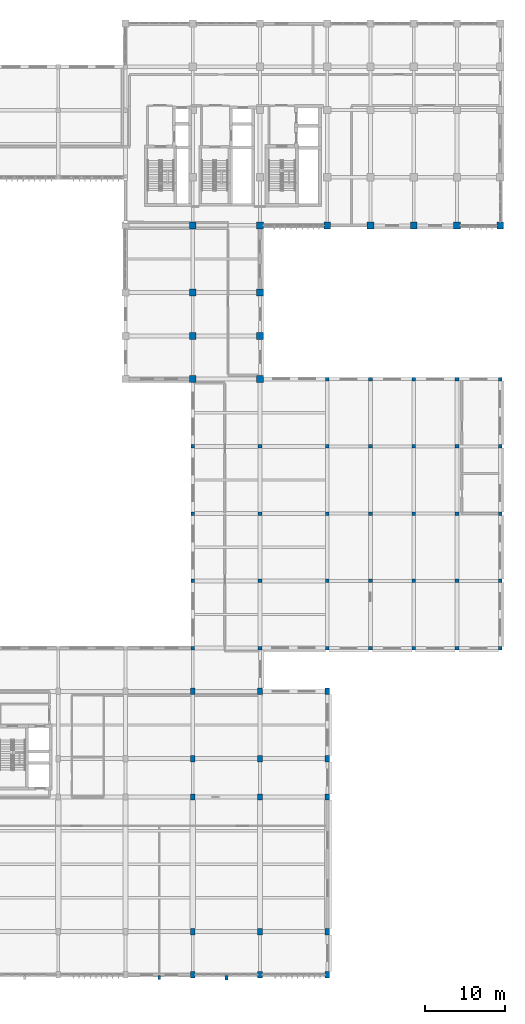
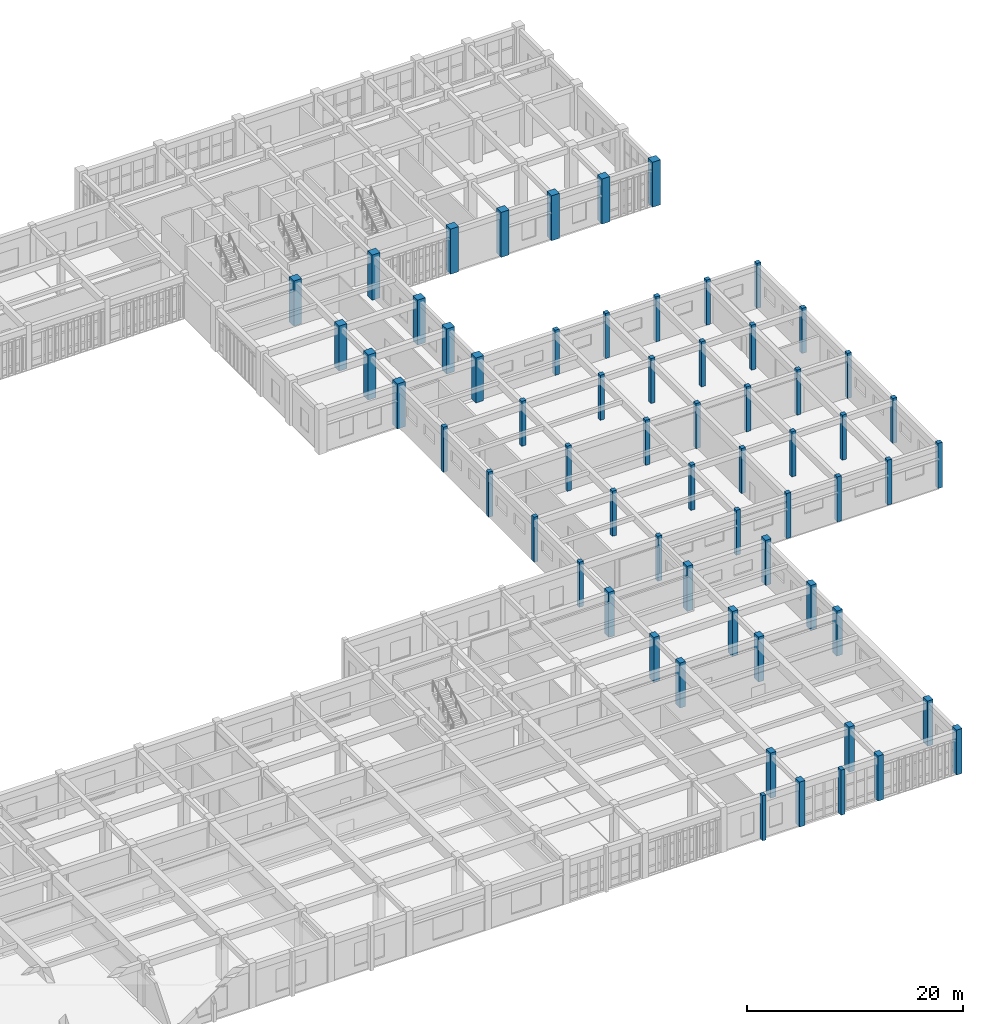
# One storey, part 11 of 106: 63 columns.
"""IFC4 building model written with IfcOpenShell, lengths in metres."""

from ifc_helpers import new_model, si_unit, direction, frame, origin, origin_2d, place, context, subcontext, project, spatial, rectangle, extrude, material, material_profile, profile_set, type_object, element, save


model = new_model("IFC4")

# Units and contexts
model_context = context("Model", 3, precision=1e-05, world=origin(), true_north=direction((0.0, 1.0)))
body_context = subcontext(model_context, "Body", "Model", "MODEL_VIEW")
ifc_project = project(units=[si_unit("LENGTHUNIT", "METRE"), si_unit("AREAUNIT", "SQUARE_METRE"), si_unit("VOLUMEUNIT", "CUBIC_METRE"), si_unit("PLANEANGLEUNIT", "RADIAN"), si_unit("MASSUNIT", "GRAM", prefix="KILO")], contexts=[model_context])

# Site, building, storey
site_placement = place(None, origin())
site = spatial("IfcSite", under=ifc_project, at=site_placement, CompositionType="ELEMENT")
building_placement = place(site_placement, origin())
building = spatial("IfcBuilding", under=site, at=building_placement, Name="Krzemoval Escarpment Law Courts", CompositionType="ELEMENT")
storey_placement = place(building_placement, frame((0.0, 0.0, 5.10009765625)))
storey = spatial("IfcBuildingStorey", under=building, at=storey_placement, Name="L01", CompositionType="ELEMENT", Elevation=5.10009765625)

# Columns
ifc_material_1 = material(Name="Concrete C40/50", Category="concrete")
ifc_material_profile_1 = material_profile(ifc_material_1, rectangle(XDim=0.449951171875, YDim=0.449951171875, at=origin_2d()), Name="RC 450x450")
ifc_profile_set_1 = profile_set([ifc_material_profile_1], Name="Concrete C40/50")
column_type_1 = type_object("IfcColumnType", Name="COL-RC-450", PredefinedType="COLUMN", material=ifc_profile_set_1)
for number, where, z_axis, x_axis, name in (
    (1, (134.39990234375, 40.800048828125, 0.0), (0.0, 0.0, 1.0), (1.0, 0.0, 0.0), "Column FC-L01-0725"),
    (2, (134.39990234375, 49.199951171875, 0.0), (0.0, 0.0, 1.0), (1.0, 0.0, 0.0), "Column FC-L01-0726"),
    (3, (134.39990234375, 57.60009765625, 0.0), (0.0, 0.0, 1.0), (1.0, 0.0, 0.0), "Column FC-L01-0727"),
    (4, (134.39990234375, 66.0, 0.0), (0.0, 0.0, 1.0), (1.0, 0.0, 0.0), "Column FC-L01-0728"),
    (5, (142.800048828125, 40.800048828125, 0.0), (0.0, 0.0, 1.0), (1.0, 0.0, 0.0), "Column FC-L01-0742"),
    (6, (142.800048828125, 49.199951171875, 0.0), (0.0, 0.0, 1.0), (1.0, 0.0, 0.0), "Column FC-L01-0743"),
    (7, (142.800048828125, 57.60009765625, 0.0), (0.0, 0.0, 1.0), (1.0, 0.0, 0.0), "Column FC-L01-0744"),
    (8, (142.800048828125, 66.0, 0.0), (0.0, 0.0, 1.0), (1.0, 0.0, 0.0), "Column FC-L01-0745"),
    (9, (151.199951171875, 40.800048828125, 0.0), (0.0, 0.0, 1.0), (1.0, 0.0, 0.0), "Column FC-L01-0759"),
    (10, (151.199951171875, 49.199951171875, 0.0), (0.0, 0.0, 1.0), (1.0, 0.0, 0.0), "Column FC-L01-0760"),
    (11, (151.199951171875, 57.60009765625, 0.0), (0.0, 0.0, 1.0), (1.0, 0.0, 0.0), "Column FC-L01-0761"),
    (12, (151.199951171875, 66.0, 0.0), (0.0, 0.0, 1.0), (1.0, 0.0, 0.0), "Column FC-L01-0762"),
    (13, (151.199951171875, 74.39990234375, 0.0), (0.0, 0.0, 1.0), (1.0, 0.0, 0.0), "Column FC-L01-0763"),
    (14, (156.60009765625, 40.800048828125, 0.0), (0.0, 0.0, 1.0), (1.0, 0.0, 0.0), "Column FC-L01-0769"),
    (15, (156.60009765625, 49.199951171875, 0.0), (0.0, 0.0, 1.0), (1.0, 0.0, 0.0), "Column FC-L01-0770"),
    (16, (156.60009765625, 57.60009765625, 0.0), (0.0, 0.0, 1.0), (1.0, 0.0, 0.0), "Column FC-L01-0771"),
    (17, (156.60009765625, 66.0, 0.0), (0.0, 0.0, 1.0), (1.0, 0.0, 0.0), "Column FC-L01-0772"),
    (18, (156.60009765625, 74.39990234375, 0.0), (0.0, 0.0, 1.0), (1.0, 0.0, 0.0), "Column FC-L01-0773"),
    (19, (162.0, 40.800048828125, 0.0), (0.0, 0.0, 1.0), (1.0, 0.0, 0.0), "Column FC-L01-0779"),
    (20, (162.0, 49.199951171875, 0.0), (0.0, 0.0, 1.0), (1.0, 0.0, 0.0), "Column FC-L01-0780"),
    (21, (162.0, 57.60009765625, 0.0), (0.0, 0.0, 1.0), (1.0, 0.0, 0.0), "Column FC-L01-0781"),
    (22, (162.0, 66.0, 0.0), (0.0, 0.0, 1.0), (1.0, 0.0, 0.0), "Column FC-L01-0782"),
    (23, (162.0, 74.39990234375, 0.0), (0.0, 0.0, 1.0), (1.0, 0.0, 0.0), "Column FC-L01-0783"),
    (24, (167.39990234375, 40.800048828125, 0.0), (0.0, 0.0, 1.0), (1.0, 0.0, 0.0), "Column FC-L01-0789"),
    (25, (167.39990234375, 49.199951171875, 0.0), (0.0, 0.0, 1.0), (1.0, 0.0, 0.0), "Column FC-L01-0790"),
    (26, (167.39990234375, 57.60009765625, 0.0), (0.0, 0.0, 1.0), (1.0, 0.0, 0.0), "Column FC-L01-0791"),
    (27, (167.39990234375, 66.0, 0.0), (0.0, 0.0, 1.0), (1.0, 0.0, 0.0), "Column FC-L01-0792"),
    (28, (167.39990234375, 74.39990234375, 0.0), (0.0, 0.0, 1.0), (1.0, 0.0, 0.0), "Column FC-L01-0793"),
    (29, (172.800048828125, 40.800048828125, 0.0), (0.0, 0.0, 1.0), (1.0, 0.0, 0.0), "Column FC-L01-0799"),
    (30, (172.800048828125, 49.199951171875, 0.0), (0.0, 0.0, 1.0), (1.0, 0.0, 0.0), "Column FC-L01-0800"),
    (31, (172.800048828125, 57.60009765625, 0.0), (0.0, 0.0, 1.0), (1.0, 0.0, 0.0), "Column FC-L01-0801"),
    (32, (172.800048828125, 66.0, 0.0), (0.0, 0.0, 1.0), (1.0, 0.0, 0.0), "Column FC-L01-0802"),
    (33, (172.800048828125, 74.39990234375, 0.0), (0.0, 0.0, 1.0), (1.0, 0.0, 0.0), "Column FC-L01-0803"),
):
    element("IfcColumn", number, at=place(storey_placement, frame(where, z_axis=z_axis, x_axis=x_axis)), inside=storey, type_object=column_type_1, Name=name, PredefinedType="COLUMN", context=body_context, shape_type="SweptSolid", body=[
        extrude(rectangle(XDim=0.449951171875, YDim=0.449951171875, at=origin_2d()), origin(), (0.0, 0.0, 1.0), 5.099853515625),
    ])
ifc_material_2 = material(Name="Concrete C40/50", Category="concrete")
ifc_material_profile_2 = material_profile(ifc_material_2, rectangle(XDim=0.60009765625, YDim=0.800048828125, at=origin_2d()), Name="RC 600x800")
ifc_profile_set_2 = profile_set([ifc_material_profile_2], Name="Concrete C40/50")
column_type_2 = type_object("IfcColumnType", Name="COL-RC-600x800", PredefinedType="COLUMN", material=ifc_profile_set_2)
for number, where, z_axis, x_axis, name in (
    (34, (134.39990234375, 0.0, 0.0), (0.0, 0.0, 1.0), (1.0, 0.0, 0.0), "Column FC-L01-0720"),
    (35, (134.39990234375, 5.39990234375, 0.0), (0.0, 0.0, 1.0), (1.0, 0.0, 0.0), "Column FC-L01-0721"),
    (36, (134.39990234375, 22.199951171875, 0.0), (0.0, 0.0, 1.0), (1.0, 0.0, 0.0), "Column FC-L01-0722"),
    (37, (134.39990234375, 27.0, 0.0), (0.0, 0.0, 1.0), (1.0, 0.0, 0.0), "Column FC-L01-0723"),
    (38, (134.39990234375, 35.39990234375, 0.0), (0.0, 0.0, 1.0), (1.0, 0.0, 0.0), "Column FC-L01-0724"),
    (39, (142.800048828125, 0.0, 0.0), (0.0, 0.0, 1.0), (1.0, 0.0, 0.0), "Column FC-L01-0737"),
    (40, (142.800048828125, 5.39990234375, 0.0), (0.0, 0.0, 1.0), (1.0, 0.0, 0.0), "Column FC-L01-0738"),
    (41, (142.800048828125, 22.199951171875, 0.0), (0.0, 0.0, 1.0), (1.0, 0.0, 0.0), "Column FC-L01-0739"),
    (42, (142.800048828125, 27.0, 0.0), (0.0, 0.0, 1.0), (1.0, 0.0, 0.0), "Column FC-L01-0740"),
    (43, (142.800048828125, 35.39990234375, 0.0), (0.0, 0.0, 1.0), (1.0, 0.0, 0.0), "Column FC-L01-0741"),
    (44, (151.199951171875, 0.0, 0.0), (0.0, 0.0, 1.0), (1.0, 0.0, 0.0), "Column FC-L01-0754"),
    (45, (151.199951171875, 5.39990234375, 0.0), (0.0, 0.0, 1.0), (1.0, 0.0, 0.0), "Column FC-L01-0755"),
    (46, (151.199951171875, 22.199951171875, 0.0), (0.0, 0.0, 1.0), (1.0, 0.0, 0.0), "Column FC-L01-0756"),
    (47, (151.199951171875, 27.0, 0.0), (0.0, 0.0, 1.0), (1.0, 0.0, 0.0), "Column FC-L01-0757"),
    (48, (151.199951171875, 35.39990234375, 0.0), (0.0, 0.0, 1.0), (1.0, 0.0, 0.0), "Column FC-L01-0758"),
):
    element("IfcColumn", number, at=place(storey_placement, frame(where, z_axis=z_axis, x_axis=x_axis)), inside=storey, type_object=column_type_2, Name=name, PredefinedType="COLUMN", context=body_context, shape_type="SweptSolid", body=[
        extrude(rectangle(XDim=0.60009765625, YDim=0.800048828125, at=origin_2d()), origin(), (0.0, 0.0, 1.0), 5.099853515625),
    ])
ifc_material_3 = material(Name="Concrete C50/60", Category="concrete")
ifc_material_profile_3 = material_profile(ifc_material_3, rectangle(XDim=0.85009765625, YDim=0.85009765625, at=origin_2d()), Name="RC 850x850")
ifc_profile_set_3 = profile_set([ifc_material_profile_3], Name="Concrete C50/60")
column_type_3 = type_object("IfcColumnType", Name="COL-RC-850", PredefinedType="COLUMN", material=ifc_profile_set_3)
for number, where, z_axis, x_axis, name in (
    (49, (134.39990234375, 74.39990234375, 0.0), (0.0, 0.0, 1.0), (1.0, 0.0, 0.0), "Column FC-L01-0729"),
    (50, (134.39990234375, 79.800048828125, 0.0), (0.0, 0.0, 1.0), (1.0, 0.0, 0.0), "Column FC-L01-0730"),
    (51, (134.39990234375, 85.199951171875, 0.0), (0.0, 0.0, 1.0), (1.0, 0.0, 0.0), "Column FC-L01-0731"),
    (52, (134.39990234375, 93.60009765625, 0.0), (0.0, 0.0, 1.0), (1.0, 0.0, 0.0), "Column FC-L01-0732"),
    (53, (142.800048828125, 74.39990234375, 0.0), (0.0, 0.0, 1.0), (1.0, 0.0, 0.0), "Column FC-L01-0746"),
    (54, (142.800048828125, 79.800048828125, 0.0), (0.0, 0.0, 1.0), (1.0, 0.0, 0.0), "Column FC-L01-0747"),
    (55, (142.800048828125, 85.199951171875, 0.0), (0.0, 0.0, 1.0), (1.0, 0.0, 0.0), "Column FC-L01-0748"),
    (56, (142.800048828125, 93.60009765625, 0.0), (0.0, 0.0, 1.0), (1.0, 0.0, 0.0), "Column FC-L01-0749"),
    (57, (151.199951171875, 93.60009765625, 0.0), (0.0, 0.0, 1.0), (1.0, 0.0, 0.0), "Column FC-L01-0764"),
    (58, (156.60009765625, 93.60009765625, 0.0), (0.0, 0.0, 1.0), (1.0, 0.0, 0.0), "Column FC-L01-0774"),
    (59, (162.0, 93.60009765625, 0.0), (0.0, 0.0, 1.0), (1.0, 0.0, 0.0), "Column FC-L01-0784"),
    (60, (167.39990234375, 93.60009765625, 0.0), (0.0, 0.0, 1.0), (1.0, 0.0, 0.0), "Column FC-L01-0794"),
    (61, (172.800048828125, 93.60009765625, 0.0), (0.0, 0.0, 1.0), (1.0, 0.0, 0.0), "Column FC-L01-0804"),
):
    element("IfcColumn", number, at=place(storey_placement, frame(where, z_axis=z_axis, x_axis=x_axis)), inside=storey, type_object=column_type_3, Name=name, PredefinedType="COLUMN", context=body_context, shape_type="SweptSolid", body=[
        extrude(rectangle(XDim=0.85009765625, YDim=0.85009765625, at=origin_2d()), origin(), (0.0, 0.0, 1.0), 5.099853515625),
    ])
ifc_material_4 = material(Name="Precast concrete C40/50", Category="concrete")
ifc_material_profile_4 = material_profile(ifc_material_4, rectangle(XDim=0.35009765625, YDim=0.5, at=origin_2d()), Name="PIL 350x500")
ifc_profile_set_4 = profile_set([ifc_material_profile_4], Name="Precast concrete C40/50")
column_type_4 = type_object("IfcColumnType", Name="PIL-PC-350x500", PredefinedType="PILASTER", material=ifc_profile_set_4)
column_1_placement = place(storey_placement, frame((130.199951171875, -0.35009765625, 0.0), z_axis=(0.0, 0.0, 1.0), x_axis=(1.0, 0.0, 0.0)))
element("IfcColumn", 62, at=column_1_placement, inside=storey, type_object=column_type_4, Name="Facade Pilaster PIL-L01-053", PredefinedType="PILASTER", context=body_context, shape_type="SweptSolid", body=[
    extrude(rectangle(XDim=0.35009765625, YDim=0.5, at=origin_2d()), origin(), (0.0, 0.0, 1.0), 5.099853515625),
])
ifc_material_5 = material(Name="Precast concrete C40/50", Category="concrete")
ifc_material_profile_5 = material_profile(ifc_material_5, rectangle(XDim=0.39990234375, YDim=0.60009765625, at=origin_2d()), Name="PIL 400x600")
ifc_profile_set_5 = profile_set([ifc_material_profile_5], Name="Precast concrete C40/50")
column_type_5 = type_object("IfcColumnType", Name="PIL-PC-400x600", PredefinedType="PILASTER", material=ifc_profile_set_5)
column_2_placement = place(storey_placement, frame((138.60009765625, -0.35009765625, 0.0), z_axis=(0.0, 0.0, 1.0), x_axis=(1.0, 0.0, 0.0)))
element("IfcColumn", 63, at=column_2_placement, inside=storey, type_object=column_type_5, Name="Facade Pilaster PIL-L01-058", PredefinedType="PILASTER", context=body_context, shape_type="SweptSolid", body=[
    extrude(rectangle(XDim=0.39990234375, YDim=0.60009765625, at=origin_2d()), origin(), (0.0, 0.0, 1.0), 5.099853515625),
])

save(model, "model.ifc")
